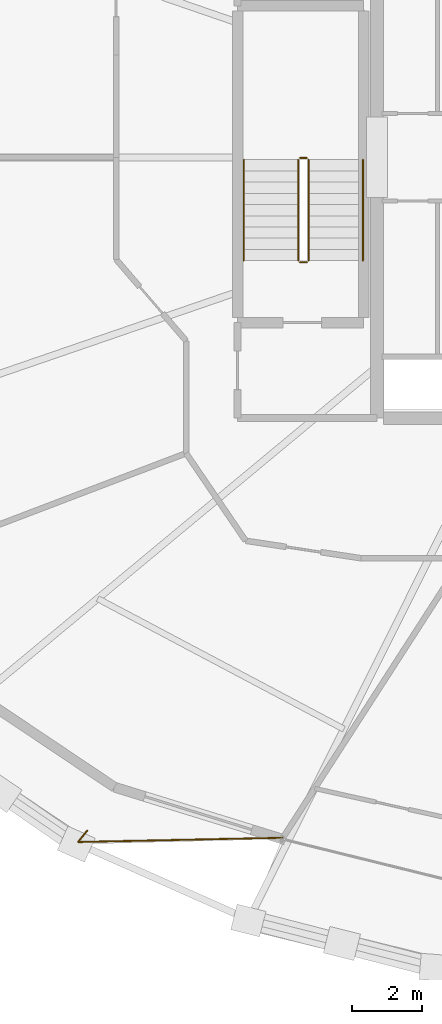
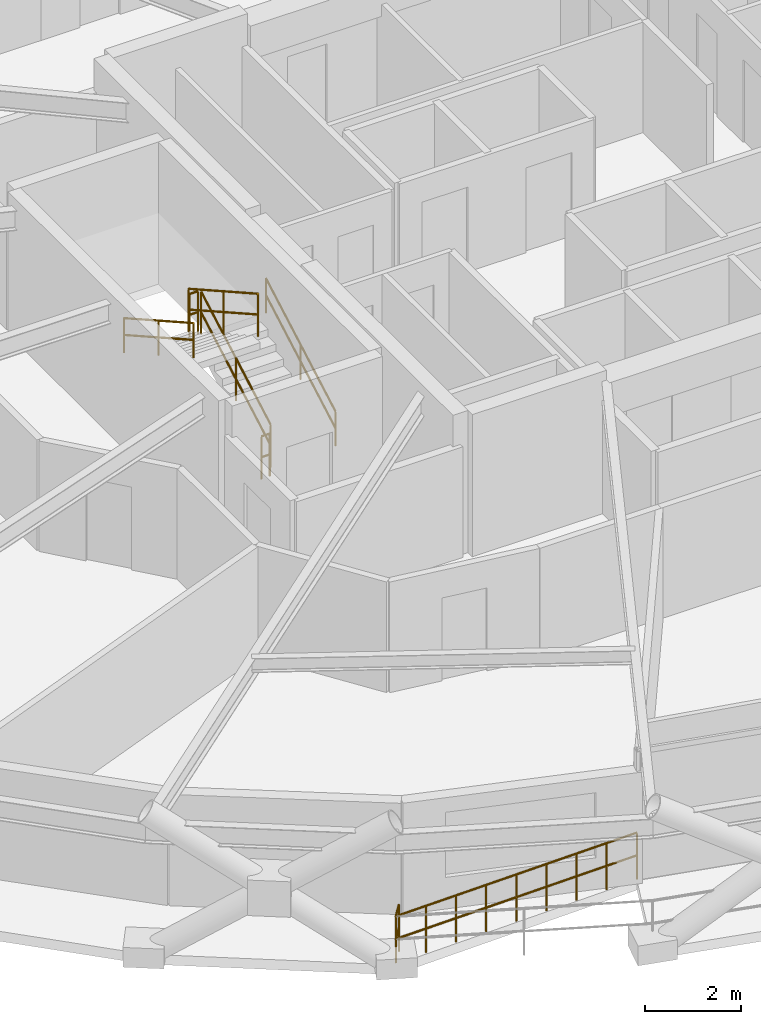
# One storey, part 19 of 21: 7 railings.
"""IFC4 building model written with IfcOpenShell, lengths in metres."""

from ifc_helpers import new_model, si_unit, direction, frame, origin, origin_2d, place, context, subcontext, project, spatial, circle, extrude, material, type_object, element, save


model = new_model("IFC4")

# Units and contexts
model_context = context("Model", 3, precision=1e-05, world=origin(), true_north=direction((0.0, 1.0)))
body_context = subcontext(model_context, "Body", "Model", "MODEL_VIEW")
ifc_project = project(units=[si_unit("LENGTHUNIT", "METRE"), si_unit("AREAUNIT", "SQUARE_METRE"), si_unit("VOLUMEUNIT", "CUBIC_METRE"), si_unit("PLANEANGLEUNIT", "RADIAN"), si_unit("MASSUNIT", "GRAM", prefix="KILO")], contexts=[model_context])

# Site, building, storey
site_placement = place(None, origin())
site = spatial("IfcSite", under=ifc_project, at=site_placement, CompositionType="ELEMENT")
building_placement = place(site_placement, origin())
building = spatial("IfcBuilding", under=site, at=building_placement, Name="Veldorina Hangang Commons", CompositionType="ELEMENT")
storey_placement = place(building_placement, frame((0.0, 0.0, 142.39990234375)))
storey = spatial("IfcBuildingStorey", under=building, at=storey_placement, Name="L36", CompositionType="ELEMENT", Elevation=142.39990234375)

# Railings
ifc_material_1 = material(Name="Glass Laminated Safety Balustrade", Category="glass")
railing_type_1 = type_object("IfcRailingType", Name="RL-BAL-LOGGIA", PredefinedType="BALUSTRADE", material=ifc_material_1)
railing_1_placement = place(storey_placement, frame((16.527099609375, 4.77490234375, 0.0)))
element("IfcRailing", 1, at=railing_1_placement, inside=storey, type_object=railing_type_1, Name="L36 sky-garden loggia end balustrade A", PredefinedType="BALUSTRADE", context=body_context, shape_type="SweptSolid", body=[
    extrude(circle(Radius=0.02392578125, at=origin_2d()), frame((0.0, 0.0, 1.17578125), z_axis=(-0.626820042981, -0.779164060848, 0.0), x_axis=(0.779164060848, -0.626820042981, 0.0)), (0.0, 0.0, 1.0), 0.419921875),
    extrude(circle(Radius=0.02392578125, at=origin_2d()), frame((0.0, 0.0, 0.60009765625), z_axis=(-0.626820042981, -0.779164060848, 0.0), x_axis=(0.779164060848, -0.626820042981, 0.0)), (0.0, 0.0, 1.0), 0.419921875),
    extrude(circle(Radius=0.02392578125, at=origin_2d()), frame((-0.26318359375, -0.3271484375, 1.17578125), z_axis=(0.999784575975, 0.020755761665, 0.0), x_axis=(-0.020755761665, 0.999784575975, 0.0)), (0.0, 0.0, 1.0), 5.845947265625),
    extrude(circle(Radius=0.02392578125, at=origin_2d()), frame((-0.26318359375, -0.3271484375, 0.60009765625), z_axis=(0.999784575975, 0.020755761665, 0.0), x_axis=(-0.020755761665, 0.999784575975, 0.0)), (0.0, 0.0, 1.0), 5.845947265625),
    extrude(circle(Radius=0.02099609375, at=origin_2d()), origin(), (0.0, 0.0, 1.0), 1.15185546875),
    extrude(circle(Radius=0.02099609375, at=origin_2d()), frame((-0.26318359375, -0.3271484375, 0.0)), (0.0, 0.0, 1.0), 1.15185546875),
    extrude(circle(Radius=0.02099609375, at=origin_2d()), frame((0.46728515625, -0.31201171875, 0.0)), (0.0, 0.0, 1.0), 1.15185546875),
    extrude(circle(Radius=0.02099609375, at=origin_2d()), frame((1.197998046875, -0.296875, 0.0)), (0.0, 0.0, 1.0), 1.15185546875),
    extrude(circle(Radius=0.02099609375, at=origin_2d()), frame((1.9287109375, -0.28173828125, 0.0)), (0.0, 0.0, 1.0), 1.15185546875),
    extrude(circle(Radius=0.02099609375, at=origin_2d()), frame((2.6591796875, -0.2666015625, 0.0)), (0.0, 0.0, 1.0), 1.15185546875),
    extrude(circle(Radius=0.02099609375, at=origin_2d()), frame((3.3896484375, -0.251220703125, 0.0)), (0.0, 0.0, 1.0), 1.15185546875),
    extrude(circle(Radius=0.02099609375, at=origin_2d()), frame((4.120361328125, -0.236083984375, 0.0)), (0.0, 0.0, 1.0), 1.15185546875),
    extrude(circle(Radius=0.02099609375, at=origin_2d()), frame((4.85107421875, -0.220947265625, 0.0)), (0.0, 0.0, 1.0), 1.15185546875),
    extrude(circle(Radius=0.02099609375, at=origin_2d()), frame((5.58154296875, -0.205810546875, 0.0)), (0.0, 0.0, 1.0), 1.15185546875),
])
ifc_material_2 = material(Name="Steel Painted Balustrade", Category="steel")
railing_type_2 = type_object("IfcRailingType", Name="RL-GRD-STAIR", PredefinedType="GUARDRAIL", material=ifc_material_2)
railing_2_placement = place(storey_placement, frame((22.85009765625, 21.050048828125, 0.18017578125)))
element("IfcRailing", 2, at=railing_2_placement, inside=storey, type_object=railing_type_2, Name="L36 ST-1 stair guard 1", PredefinedType="GUARDRAIL", context=body_context, shape_type="SweptSolid", body=[
    extrude(circle(Radius=0.02392578125, at=origin_2d()), frame((0.0, 0.0, 1.076171875), z_axis=(0.0, 0.871583430097, 0.490247207417), x_axis=(-1.0, 0.0, 0.0)), (0.0, 0.0, 1.0), 3.30419921875),
    extrude(circle(Radius=0.02392578125, at=origin_2d()), frame((0.0, 0.0, 0.550048828125), z_axis=(0.0, 0.871583430097, 0.490247207417), x_axis=(-1.0, 0.0, 0.0)), (0.0, 0.0, 1.0), 3.30419921875),
    extrude(circle(Radius=0.02099609375, at=origin_2d()), origin(), (0.0, 0.0, 1.0), 1.052001953125),
    extrude(circle(Radius=0.02099609375, at=origin_2d()), frame((0.0, 1.43994140625, 0.81005859375)), (0.0, 0.0, 1.0), 1.052001953125),
    extrude(circle(Radius=0.02099609375, at=origin_2d()), frame((0.0, 2.8798828125, 1.619873046875)), (0.0, 0.0, 1.0), 1.052001953125),
])
railing_3_placement = place(storey_placement, frame((22.800048828125, 23.97998046875, 1.800048828125)))
element("IfcRailing", 3, at=railing_3_placement, inside=storey, type_object=railing_type_2, Name="L36 ST-1 stair guard 2", PredefinedType="GUARDRAIL", context=body_context, shape_type="SweptSolid", body=[
    extrude(circle(Radius=0.02392578125, at=origin_2d()), frame((0.0, 0.0, 1.076171875), z_axis=(-1.0, 0.0, 0.0), x_axis=(0.0, -1.0, 0.0)), (0.0, 0.0, 1.0), 0.199951171875),
    extrude(circle(Radius=0.02392578125, at=origin_2d()), frame((0.0, 0.0, 0.550048828125), z_axis=(-1.0, 0.0, 0.0), x_axis=(0.0, -1.0, 0.0)), (0.0, 0.0, 1.0), 0.199951171875),
    extrude(circle(Radius=0.02099609375, at=origin_2d()), origin(), (0.0, 0.0, 1.0), 1.052001953125),
    extrude(circle(Radius=0.02099609375, at=origin_2d()), frame((-0.199951171875, 0.0, 0.0)), (0.0, 0.0, 1.0), 1.052001953125),
])
railing_4_placement = place(storey_placement, frame((22.550048828125, 23.929931640625, 1.97998046875)))
element("IfcRailing", 4, at=railing_4_placement, inside=storey, type_object=railing_type_2, Name="L36 ST-1 stair guard 3", PredefinedType="GUARDRAIL", context=body_context, shape_type="SweptSolid", body=[
    extrude(circle(Radius=0.02392578125, at=origin_2d()), frame((0.0, 0.0, 1.076171875), z_axis=(0.0, -0.87155185771, 0.490303333991), x_axis=(1.0, 0.0, 0.0)), (0.0, 0.0, 1.0), 3.30419921875),
    extrude(circle(Radius=0.02392578125, at=origin_2d()), frame((0.0, 0.0, 0.550048828125), z_axis=(0.0, -0.87155185771, 0.490303333991), x_axis=(1.0, 0.0, 0.0)), (0.0, 0.0, 1.0), 3.30419921875),
    extrude(circle(Radius=0.02099609375, at=origin_2d()), origin(), (0.0, 0.0, 1.0), 1.052001953125),
    extrude(circle(Radius=0.02099609375, at=origin_2d()), frame((0.0, -1.43994140625, 0.81005859375)), (0.0, 0.0, 1.0), 1.052001953125),
    extrude(circle(Radius=0.02099609375, at=origin_2d()), frame((0.0, -2.8798828125, 1.6201171875)), (0.0, 0.0, 1.0), 1.052001953125),
])
railing_5_placement = place(storey_placement, frame((22.800048828125, 21.0, 0.0)))
element("IfcRailing", 5, at=railing_5_placement, inside=storey, type_object=railing_type_2, Name="L36 ST-1 stair guard 4", PredefinedType="GUARDRAIL", context=body_context, shape_type="SweptSolid", body=[
    extrude(circle(Radius=0.02392578125, at=origin_2d()), frame((0.0, 0.0, 1.076171875), z_axis=(-1.0, 0.0, 0.0), x_axis=(0.0, -1.0, 0.0)), (0.0, 0.0, 1.0), 0.199951171875),
    extrude(circle(Radius=0.02392578125, at=origin_2d()), frame((0.0, 0.0, 0.550048828125), z_axis=(-1.0, 0.0, 0.0), x_axis=(0.0, -1.0, 0.0)), (0.0, 0.0, 1.0), 0.199951171875),
    extrude(circle(Radius=0.02099609375, at=origin_2d()), origin(), (0.0, 0.0, 1.0), 1.052001953125),
    extrude(circle(Radius=0.02099609375, at=origin_2d()), frame((-0.199951171875, 0.0, 0.0)), (0.0, 0.0, 1.0), 1.052001953125),
])
ifc_material_3 = material(Name="Stainless Steel Brushed 316", Category="steel")
railing_type_3 = type_object("IfcRailingType", Name="RL-HND-STAIR", PredefinedType="HANDRAIL", material=ifc_material_3)
railing_6_placement = place(storey_placement, frame((24.39990234375, 21.050048828125, 0.18017578125)))
element("IfcRailing", 6, at=railing_6_placement, inside=storey, type_object=railing_type_3, Name="L36 ST-1 stair handrail 1", PredefinedType="HANDRAIL", context=body_context, shape_type="SweptSolid", body=[
    extrude(circle(Radius=0.02392578125, at=origin_2d()), frame((0.0, 0.0, 0.8759765625), z_axis=(0.0, 0.871583430097, 0.490247207417), x_axis=(-1.0, 0.0, 0.0)), (0.0, 0.0, 1.0), 3.30419921875),
    extrude(circle(Radius=0.02392578125, at=origin_2d()), frame((0.0, 0.0, 0.449951171875), z_axis=(0.0, 0.871583430097, 0.490247207417), x_axis=(-1.0, 0.0, 0.0)), (0.0, 0.0, 1.0), 3.30419921875),
    extrude(circle(Radius=0.02099609375, at=origin_2d()), origin(), (0.0, 0.0, 1.0), 0.851806640625),
    extrude(circle(Radius=0.02099609375, at=origin_2d()), frame((0.0, 1.43994140625, 0.81005859375)), (0.0, 0.0, 1.0), 0.851806640625),
    extrude(circle(Radius=0.02099609375, at=origin_2d()), frame((0.0, 2.8798828125, 1.619873046875)), (0.0, 0.0, 1.0), 0.851806640625),
])
railing_7_placement = place(storey_placement, frame((21.0, 23.929931640625, 1.97998046875)))
element("IfcRailing", 7, at=railing_7_placement, inside=storey, type_object=railing_type_3, Name="L36 ST-1 stair handrail 2", PredefinedType="HANDRAIL", context=body_context, shape_type="SweptSolid", body=[
    extrude(circle(Radius=0.02392578125, at=origin_2d()), frame((0.0, 0.0, 0.8759765625), z_axis=(0.0, -0.87155185771, 0.490303333991), x_axis=(1.0, 0.0, 0.0)), (0.0, 0.0, 1.0), 3.30419921875),
    extrude(circle(Radius=0.02392578125, at=origin_2d()), frame((0.0, 0.0, 0.449951171875), z_axis=(0.0, -0.87155185771, 0.490303333991), x_axis=(1.0, 0.0, 0.0)), (0.0, 0.0, 1.0), 3.30419921875),
    extrude(circle(Radius=0.02099609375, at=origin_2d()), origin(), (0.0, 0.0, 1.0), 0.851806640625),
    extrude(circle(Radius=0.02099609375, at=origin_2d()), frame((0.0, -1.43994140625, 0.81005859375)), (0.0, 0.0, 1.0), 0.851806640625),
    extrude(circle(Radius=0.02099609375, at=origin_2d()), frame((0.0, -2.8798828125, 1.6201171875)), (0.0, 0.0, 1.0), 0.851806640625),
])

save(model, "model.ifc")
